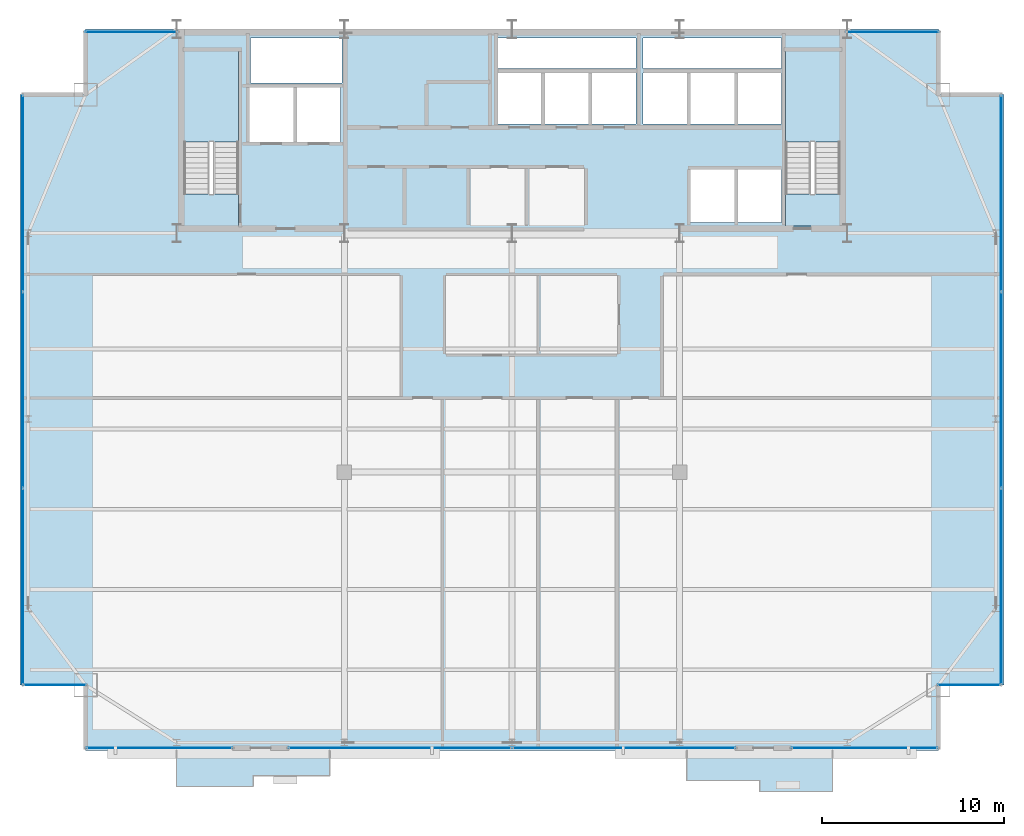
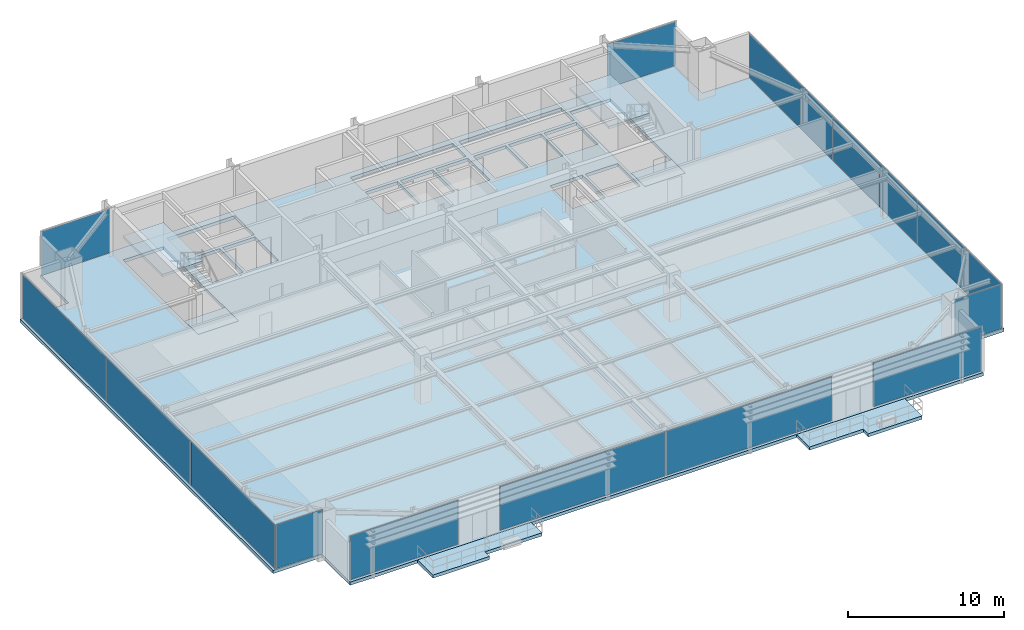
# One storey, part 24 of 31: 14 plates, 7 slabs, 11 elements without a shape of their own.
"""IFC4 building model written with IfcOpenShell, lengths in metres."""

from ifc_helpers import new_model, si_unit, direction, frame, origin, origin_2d, place, context, subcontext, project, spatial, polyline, rectangle, outline, extrude, source, transform, mapped, material, layer, layer_set, type_object, type_shapes, element, aggregate, save


model = new_model("IFC4")

# Units and contexts
model_context = context("Model", 3, precision=1e-05, world=origin(), true_north=direction((0.0, 1.0)))
body_context = subcontext(model_context, "Body", "Model", "MODEL_VIEW")
ifc_project = project(units=[si_unit("LENGTHUNIT", "METRE"), si_unit("AREAUNIT", "SQUARE_METRE"), si_unit("VOLUMEUNIT", "CUBIC_METRE"), si_unit("PLANEANGLEUNIT", "RADIAN"), si_unit("MASSUNIT", "GRAM", prefix="KILO")], contexts=[model_context])

# Site, building, storey
site_placement = place(None, origin())
site = spatial("IfcSite", under=ifc_project, at=site_placement, CompositionType="ELEMENT")
building_placement = place(site_placement, origin())
building = spatial("IfcBuilding", under=site, at=building_placement, Name="Varnel Quay Broadcast Tower", CompositionType="ELEMENT")
storey_placement = place(building_placement, frame((0.0, 0.0, 157.199951171875)))
storey = spatial("IfcBuildingStorey", under=building, at=storey_placement, Name="L38", CompositionType="ELEMENT", Elevation=157.199951171875)

# Slabs
ifc_material_1 = material(Name="Concrete CSA A23.3 C40/50", Category="concrete")
ifc_layer_1 = layer(ifc_material_1, 0.25, Name="Concrete CSA A23.3 C40/50")
ifc_layer_set_1 = layer_set([ifc_layer_1], Name="Concrete CSA A23.3 C40/50")
slab_type_1 = type_object("IfcSlabType", Name="Slab_ExtTerrace250", PredefinedType="FLOOR", material=ifc_layer_set_1)
slab_1_placement = place(storey_placement, frame((0.0, 0.0, -0.25)))
element("IfcSlab", 1, at=slab_1_placement, inside=storey, type_object=slab_type_1, Name="L38 Planted Lobe Terrace Slab 1", PredefinedType="FLOOR", context=body_context, shape_type="SweptSolid", body=[
    extrude(outline(polyline([(15.590087890625, 5.236083984375), (19.7900390625, 5.236083984375), (19.7900390625, 5.8359375), (23.989990234375, 5.8359375), (23.989990234375, 7.199951171875), (15.590087890625, 7.199951171875), (15.590087890625, 5.236083984375)])), origin(), (0.0, 0.0, 1.0), 0.25),
])
slab_2_placement = place(storey_placement, frame((0.0, 0.0, -0.25)))
element("IfcSlab", 2, at=slab_2_placement, inside=storey, type_object=slab_type_1, Name="L38 Planted Lobe Terrace Slab 2", PredefinedType="FLOOR", context=body_context, shape_type="SweptSolid", body=[
    extrude(outline(polyline([(43.60009765625, 5.56396484375), (47.594970703125, 5.56396484375), (47.594970703125, 4.964111328125), (51.590087890625, 4.964111328125), (51.590087890625, 7.199951171875), (43.60009765625, 7.199951171875), (43.60009765625, 5.56396484375)])), origin(), (0.0, 0.0, 1.0), 0.25),
])
ifc_material_2 = material(Name="Concrete CSA A23.3 C50/60", Category="concrete")
ifc_layer_2 = layer(ifc_material_2, 0.25, Name="Concrete CSA A23.3 C50/60")
ifc_layer_set_2 = layer_set([ifc_layer_2], Name="Concrete CSA A23.3 C50/60")
slab_type_2 = type_object("IfcSlabType", Name="Slab_Floor250", PredefinedType="FLOOR", material=ifc_layer_set_2)
slab_3_placement = place(storey_placement, frame((0.0, 0.0, -0.25)))
element("IfcSlab", 3, at=slab_3_placement, inside=storey, type_object=slab_type_2, Name="L38 Structural Slab", PredefinedType="FLOOR", context=body_context, shape_type="SweptSolid", body=[
    extrude(outline(polyline([(10.60009765625, 7.199951171875), (57.39990234375, 7.199951171875), (57.39990234375, 10.800048828125), (61.0, 10.800048828125), (61.0, 43.199951171875), (57.39990234375, 43.199951171875), (57.39990234375, 46.800048828125), (10.60009765625, 46.800048828125), (10.60009765625, 43.199951171875), (7.0, 43.199951171875), (7.0, 10.800048828125), (10.60009765625, 10.800048828125), (10.60009765625, 7.199951171875)]), holes=[polyline([(19.0, 36.0), (16.0, 36.0), (16.0, 45.60009765625), (19.0, 45.60009765625), (19.0, 36.0)]), polyline([(19.60009765625, 43.60009765625), (22.0, 43.60009765625), (22.0, 40.60009765625), (19.60009765625, 40.60009765625), (19.60009765625, 43.60009765625)]), polyline([(22.199951171875, 43.60009765625), (24.60009765625, 43.60009765625), (24.60009765625, 40.60009765625), (22.199951171875, 40.60009765625), (22.199951171875, 43.60009765625)]), polyline([(33.199951171875, 44.39990234375), (35.60009765625, 44.39990234375), (35.60009765625, 41.60009765625), (33.199951171875, 41.60009765625), (33.199951171875, 44.39990234375)]), polyline([(35.800048828125, 44.39990234375), (38.199951171875, 44.39990234375), (38.199951171875, 41.60009765625), (35.800048828125, 41.60009765625), (35.800048828125, 44.39990234375)]), polyline([(38.39990234375, 44.39990234375), (40.800048828125, 44.39990234375), (40.800048828125, 41.60009765625), (38.39990234375, 41.60009765625), (38.39990234375, 44.39990234375)]), polyline([(19.64990234375, 46.300048828125), (24.679931640625, 46.300048828125), (24.679931640625, 43.85009765625), (19.64990234375, 43.85009765625), (19.64990234375, 46.300048828125)]), polyline([(33.199951171875, 46.300048828125), (40.800048828125, 46.300048828125), (40.800048828125, 44.64990234375), (33.199951171875, 44.64990234375), (33.199951171875, 46.300048828125)]), polyline([(43.800048828125, 39.10009765625), (46.199951171875, 39.10009765625), (46.199951171875, 36.199951171875), (43.800048828125, 36.199951171875), (43.800048828125, 39.10009765625)]), polyline([(46.39990234375, 39.10009765625), (48.800048828125, 39.10009765625), (48.800048828125, 36.199951171875), (46.39990234375, 36.199951171875), (46.39990234375, 39.10009765625)]), polyline([(49.0, 36.0), (49.0, 45.60009765625), (52.0, 45.60009765625), (52.0, 36.0), (49.0, 36.0)]), polyline([(41.199951171875, 44.39990234375), (43.60009765625, 44.39990234375), (43.60009765625, 41.60009765625), (41.199951171875, 41.60009765625), (41.199951171875, 44.39990234375)]), polyline([(43.800048828125, 44.39990234375), (46.199951171875, 44.39990234375), (46.199951171875, 41.60009765625), (43.800048828125, 41.60009765625), (43.800048828125, 44.39990234375)]), polyline([(46.39990234375, 44.39990234375), (48.800048828125, 44.39990234375), (48.800048828125, 41.60009765625), (46.39990234375, 41.60009765625), (46.39990234375, 44.39990234375)]), polyline([(41.199951171875, 46.300048828125), (48.800048828125, 46.300048828125), (48.800048828125, 44.64990234375), (41.199951171875, 44.64990234375), (41.199951171875, 46.300048828125)])]), origin(), (0.0, 0.0, 1.0), 0.25),
])
ifc_layer_3 = layer(ifc_material_2, 0.25, Name="Concrete CSA A23.3 C50/60")
ifc_layer_set_3 = layer_set([ifc_layer_3], Name="Concrete CSA A23.3 C50/60")
slab_type_3 = type_object("IfcSlabType", Name="Slab_StairFloorLanding250", PredefinedType="FLOOR", material=ifc_layer_set_3)
slab_4_placement = place(storey_placement, frame((0.0, 0.0, -0.25)))
element("IfcSlab", 4, at=slab_4_placement, inside=storey, type_object=slab_type_3, Name="L38 ST-01 Structural Floor Landing Slab", PredefinedType="FLOOR", context=body_context, shape_type="SweptSolid", body=[
    extrude(outline(polyline([(19.0, 36.0), (19.0, 37.75), (16.0, 37.75), (16.0, 36.0), (19.0, 36.0)])), origin(), (0.0, 0.0, 1.0), 0.25),
])
slab_5_placement = place(storey_placement, frame((0.0, 0.0, -0.25)))
element("IfcSlab", 5, at=slab_5_placement, inside=storey, type_object=slab_type_3, Name="L38 ST-02 Structural Floor Landing Slab", PredefinedType="FLOOR", context=body_context, shape_type="SweptSolid", body=[
    extrude(outline(polyline([(52.0, 36.0), (52.0, 37.75), (49.0, 37.75), (49.0, 36.0), (52.0, 36.0)])), origin(), (0.0, 0.0, 1.0), 0.25),
])

# Stair, slab
ifc_material_3 = material(Name="Precast Structural Concrete C40/50", Category="concrete")
stair_type_1 = type_object("IfcStairType", Name="Stair_ST-01", PredefinedType="HALF_TURN_STAIR", material=ifc_material_3)
stair_1_placement = place(storey_placement, origin())
stair_1 = element("IfcStair", 6, at=stair_1_placement, inside=storey, type_object=stair_type_1, Name="L38 West Core Exit Stair 1", PredefinedType="HALF_TURN_STAIR")
ifc_layer_4 = layer(ifc_material_3, 0.199951171875, Name="Precast Structural Concrete C40/50")
ifc_layer_set_4 = layer_set([ifc_layer_4], Name="Precast Structural Concrete C40/50")
slab_type_4 = type_object("IfcSlabType", Name="Slab_StairLanding200", PredefinedType="LANDING", material=ifc_layer_set_4)
slab_6_placement = place(storey_placement, frame((0.0, 0.0, 1.699951171875)))
slab_6 = element("IfcSlab", 7, at=slab_6_placement, type_object=slab_type_4, Name="ST-01 landing 1", PredefinedType="LANDING", context=body_context, shape_type="SweptSolid", body=[
    extrude(outline(polyline([(19.0, 40.60009765625), (19.0, 45.60009765625), (16.0, 45.60009765625), (16.0, 40.60009765625), (19.0, 40.60009765625)])), origin(), (0.0, 0.0, 1.0), 0.2001953125),
])
aggregate(stair_1, [slab_6])

stair_type_2 = type_object("IfcStairType", Name="Stair_ST-02", PredefinedType="HALF_TURN_STAIR", material=ifc_material_3)
stair_2_placement = place(storey_placement, origin())
stair_2 = element("IfcStair", 8, at=stair_2_placement, inside=storey, type_object=stair_type_2, Name="L38 East Core Exit Stair 2", PredefinedType="HALF_TURN_STAIR")
slab_7_placement = place(storey_placement, frame((0.0, 0.0, 1.699951171875)))
slab_7 = element("IfcSlab", 9, at=slab_7_placement, type_object=slab_type_4, Name="ST-02 landing 1", PredefinedType="LANDING", context=body_context, shape_type="SweptSolid", body=[
    extrude(outline(polyline([(52.0, 40.60009765625), (52.0, 45.60009765625), (49.0, 45.60009765625), (49.0, 40.60009765625), (52.0, 40.60009765625)])), origin(), (0.0, 0.0, 1.0), 0.2001953125),
])
aggregate(stair_2, [slab_7])

# Curtain wall, plate
ifc_material_4 = material(Name="Anodised Bronze Aluminium 6063-T6", Category="aluminium")
ifc_layer_5 = layer(ifc_material_4, 0.18994140625, Name="Anodised Bronze Aluminium 6063-T6")
ifc_layer_set_5 = layer_set([ifc_layer_5], Name="Anodised Bronze Aluminium 6063-T6")
curtain_wall_type_1 = type_object("IfcCurtainWallType", Name="CW_NotchCorner", PredefinedType="NOTDEFINED", material=ifc_layer_set_5)
curtain_wall_1_placement = place(storey_placement, origin())
curtain_wall_1 = element("IfcCurtainWall", 10, at=curtain_wall_1_placement, inside=storey, type_object=curtain_wall_type_1, Name="L38 SW Notch Curtain Wall", PredefinedType="NOTDEFINED")
ifc_material_5 = material(Name="Triple-Glazed Bronze Low-E Architectural Glass", Category="glass")
ifc_layer_6 = layer(ifc_material_5, 0.028076171875, Name="Triple-Glazed Bronze Low-E Architectural Glass")
ifc_layer_set_6 = layer_set([ifc_layer_6], Name="Triple-Glazed Bronze Low-E Architectural Glass")
plate_type_1 = type_object("IfcPlateType", Name="Panel_CWS-04", PredefinedType="CURTAIN_PANEL", material=ifc_layer_set_6)
shared_shape_1 = source(origin(), body_context, "Body", "SweptSolid", [
    extrude(rectangle(XDim=3.409912109375, YDim=0.028076171875, at=origin_2d()), origin(), (0.0, 0.0, 1.0), 3.43994140625),
])
type_shapes(plate_type_1, [shared_shape_1])
plate_1_placement = place(storey_placement, frame((8.9150390625, 10.800048828125, 0.05517578125), z_axis=(0.0, 0.0, 1.0), x_axis=(1.0, 0.0, 0.0)))
plate_1 = element("IfcPlate", 11, at=plate_1_placement, type_object=plate_type_1, Name="CWS-04 panel 1.1", PredefinedType="CURTAIN_PANEL", context=body_context, shape_type="MappedRepresentation", body=[
    mapped(shared_shape_1, transform((0.0, 0.0, 0.0), x_axis=(1.0, 0.0, 0.0), y_axis=(0.0, 1.0, 0.0), z_axis=(0.0, 0.0, 1.0), scale=1.0)),
])
aggregate(curtain_wall_1, [plate_1])

curtain_wall_2_placement = place(storey_placement, origin())
curtain_wall_2 = element("IfcCurtainWall", 12, at=curtain_wall_2_placement, inside=storey, type_object=curtain_wall_type_1, Name="L38 SE Notch Curtain Wall", PredefinedType="NOTDEFINED")
plate_2_placement = place(storey_placement, frame((59.0849609375, 10.800048828125, 0.05517578125), z_axis=(0.0, 0.0, 1.0), x_axis=(1.0, 0.0, 0.0)))
plate_2 = element("IfcPlate", 13, at=plate_2_placement, type_object=plate_type_1, Name="CWS-04 panel 1.1", PredefinedType="CURTAIN_PANEL", context=body_context, shape_type="MappedRepresentation", body=[
    mapped(shared_shape_1, transform((0.0, 0.0, 0.0), x_axis=(1.0, 0.0, 0.0), y_axis=(0.0, 1.0, 0.0), z_axis=(0.0, 0.0, 1.0), scale=1.0)),
])
aggregate(curtain_wall_2, [plate_2])

# Curtain wall, plates
ifc_layer_7 = layer(ifc_material_4, 0.18994140625, Name="Anodised Bronze Aluminium 6063-T6")
ifc_layer_set_7 = layer_set([ifc_layer_7], Name="Anodised Bronze Aluminium 6063-T6")
curtain_wall_type_2 = type_object("IfcCurtainWallType", Name="CW_UpperTower", PredefinedType="NOTDEFINED", material=ifc_layer_set_7)
curtain_wall_3_placement = place(storey_placement, origin())
curtain_wall_3 = element("IfcCurtainWall", 14, at=curtain_wall_3_placement, inside=storey, type_object=curtain_wall_type_2, Name="L38 West Unitised Curtain Wall", PredefinedType="NOTDEFINED")
ifc_material_6 = material(Name="Insulated Bronze Spandrel Glass", Category="glass")
ifc_layer_8 = layer(ifc_material_6, 0.030029296875, Name="Insulated Bronze Spandrel Glass")
ifc_layer_set_8 = layer_set([ifc_layer_8], Name="Insulated Bronze Spandrel Glass")
plate_type_2 = type_object("IfcPlateType", Name="PanelSp_CWS-03", PredefinedType="CURTAIN_PANEL", material=ifc_layer_set_8)
shared_shape_2 = source(origin(), body_context, "Body", "SweptSolid", [
    extrude(rectangle(XDim=10.702392578125, YDim=0.030029296875, at=origin_2d()), origin(), (0.0, 0.0, 1.0), 3.429931640625),
])
plate_3_placement = place(storey_placement, frame((7.14990234375, 16.21630859375, 0.06005859375), z_axis=(0.0, 0.0, 1.0), x_axis=(0.0, 1.0, 0.0)))
plate_3 = element("IfcPlate", 15, at=plate_3_placement, type_object=plate_type_2, Name="CWS-03 panel 1.1", PredefinedType="CURTAIN_PANEL", context=body_context, shape_type="MappedRepresentation", body=[
    mapped(shared_shape_2, transform((0.0, 0.0, 0.0), x_axis=(1.0, 0.0, 0.0), y_axis=(0.0, 1.0, 0.0), z_axis=(0.0, 0.0, 1.0), scale=1.0)),
])
plate_4_placement = place(storey_placement, frame((7.14990234375, 37.78369140625, 0.06005859375), z_axis=(0.0, 0.0, 1.0), x_axis=(0.0, 1.0, 0.0)))
plate_4 = element("IfcPlate", 16, at=plate_4_placement, type_object=plate_type_2, Name="CWS-03 panel 3.1", PredefinedType="CURTAIN_PANEL", context=body_context, shape_type="MappedRepresentation", body=[
    mapped(shared_shape_2, transform((0.0, 0.0, 0.0), x_axis=(1.0, 0.0, 0.0), y_axis=(0.0, 1.0, 0.0), z_axis=(0.0, 0.0, 1.0), scale=1.0)),
])

curtain_wall_4_placement = place(storey_placement, origin())
curtain_wall_4 = element("IfcCurtainWall", 17, at=curtain_wall_4_placement, inside=storey, type_object=curtain_wall_type_2, Name="L38 East Unitised Curtain Wall", PredefinedType="NOTDEFINED")
plate_5_placement = place(storey_placement, frame((60.85009765625, 16.21630859375, 0.06005859375), z_axis=(0.0, 0.0, 1.0), x_axis=(0.0, 1.0, 0.0)))
plate_5 = element("IfcPlate", 18, at=plate_5_placement, type_object=plate_type_2, Name="CWS-03 panel 1.1", PredefinedType="CURTAIN_PANEL", context=body_context, shape_type="MappedRepresentation", body=[
    mapped(shared_shape_2, transform((0.0, 0.0, 0.0), x_axis=(1.0, 0.0, 0.0), y_axis=(0.0, 1.0, 0.0), z_axis=(0.0, 0.0, 1.0), scale=1.0)),
])
plate_6_placement = place(storey_placement, frame((60.85009765625, 37.78369140625, 0.06005859375), z_axis=(0.0, 0.0, 1.0), x_axis=(0.0, 1.0, 0.0)))
plate_6 = element("IfcPlate", 19, at=plate_6_placement, type_object=plate_type_2, Name="CWS-03 panel 3.1", PredefinedType="CURTAIN_PANEL", context=body_context, shape_type="MappedRepresentation", body=[
    mapped(shared_shape_2, transform((0.0, 0.0, 0.0), x_axis=(1.0, 0.0, 0.0), y_axis=(0.0, 1.0, 0.0), z_axis=(0.0, 0.0, 1.0), scale=1.0)),
])

# Plate
shared_shape_3 = source(origin(), body_context, "Body", "SweptSolid", [
    extrude(rectangle(XDim=10.735107421875, YDim=0.030029296875, at=origin_2d()), origin(), (0.0, 0.0, 1.0), 3.429931640625),
])
plate_7_placement = place(storey_placement, frame((7.14990234375, 27.0, 0.06005859375), z_axis=(0.0, 0.0, 1.0), x_axis=(0.0, 1.0, 0.0)))
plate_7 = element("IfcPlate", 20, at=plate_7_placement, type_object=plate_type_2, Name="CWS-03 panel 2.1", PredefinedType="CURTAIN_PANEL", context=body_context, shape_type="MappedRepresentation", body=[
    mapped(shared_shape_3, transform((0.0, 0.0, 0.0), x_axis=(1.0, 0.0, 0.0), y_axis=(0.0, 1.0, 0.0), z_axis=(0.0, 0.0, 1.0), scale=1.0)),
])

aggregate(curtain_wall_3, [plate_3, plate_7, plate_4])

plate_8_placement = place(storey_placement, frame((60.85009765625, 27.0, 0.06005859375), z_axis=(0.0, 0.0, 1.0), x_axis=(0.0, 1.0, 0.0)))
plate_8 = element("IfcPlate", 21, at=plate_8_placement, type_object=plate_type_2, Name="CWS-03 panel 2.1", PredefinedType="CURTAIN_PANEL", context=body_context, shape_type="MappedRepresentation", body=[
    mapped(shared_shape_3, transform((0.0, 0.0, 0.0), x_axis=(1.0, 0.0, 0.0), y_axis=(0.0, 1.0, 0.0), z_axis=(0.0, 0.0, 1.0), scale=1.0)),
])

aggregate(curtain_wall_4, [plate_5, plate_8, plate_6])

# Curtain wall, plate
curtain_wall_5_placement = place(storey_placement, origin())
curtain_wall_5 = element("IfcCurtainWall", 22, at=curtain_wall_5_placement, inside=storey, type_object=curtain_wall_type_2, Name="L38 NW Wing Curtain Wall", PredefinedType="NOTDEFINED")
ifc_layer_9 = layer(ifc_material_5, 0.030029296875, Name="Triple-Glazed Bronze Low-E Architectural Glass")
ifc_layer_set_9 = layer_set([ifc_layer_9], Name="Triple-Glazed Bronze Low-E Architectural Glass")
plate_type_3 = type_object("IfcPlateType", Name="Panel_CWS-03", PredefinedType="CURTAIN_PANEL", material=ifc_layer_set_9)
shared_shape_4 = source(origin(), body_context, "Body", "SweptSolid", [
    extrude(rectangle(XDim=5.050048828125, YDim=0.030029296875, at=origin_2d()), origin(), (0.0, 0.0, 1.0), 3.429931640625),
])
plate_9_placement = place(storey_placement, frame((13.110107421875, 46.64990234375, 0.06005859375), z_axis=(0.0, 0.0, 1.0), x_axis=(1.0, 0.0, 0.0)))
plate_9 = element("IfcPlate", 23, at=plate_9_placement, type_object=plate_type_3, Name="CWS-03 panel 1.1", PredefinedType="CURTAIN_PANEL", context=body_context, shape_type="MappedRepresentation", body=[
    mapped(shared_shape_4, transform((0.0, 0.0, 0.0), x_axis=(1.0, 0.0, 0.0), y_axis=(0.0, 1.0, 0.0), z_axis=(0.0, 0.0, 1.0), scale=1.0)),
])
aggregate(curtain_wall_5, [plate_9])

curtain_wall_6_placement = place(storey_placement, origin())
curtain_wall_6 = element("IfcCurtainWall", 24, at=curtain_wall_6_placement, inside=storey, type_object=curtain_wall_type_2, Name="L38 NE Wing Curtain Wall", PredefinedType="NOTDEFINED")
plate_10_placement = place(storey_placement, frame((54.889892578125, 46.64990234375, 0.06005859375), z_axis=(0.0, 0.0, 1.0), x_axis=(1.0, 0.0, 0.0)))
plate_10 = element("IfcPlate", 25, at=plate_10_placement, type_object=plate_type_3, Name="CWS-03 panel 1.1", PredefinedType="CURTAIN_PANEL", context=body_context, shape_type="MappedRepresentation", body=[
    mapped(shared_shape_4, transform((0.0, 0.0, 0.0), x_axis=(1.0, 0.0, 0.0), y_axis=(0.0, 1.0, 0.0), z_axis=(0.0, 0.0, 1.0), scale=1.0)),
])
aggregate(curtain_wall_6, [plate_10])

curtain_wall_7_placement = place(storey_placement, origin())
curtain_wall_7 = element("IfcCurtainWall", 26, at=curtain_wall_7_placement, inside=storey, type_object=curtain_wall_type_2, Name="L38 South Unitised Curtain Wall 1", PredefinedType="NOTDEFINED")
shared_shape_5 = source(origin(), body_context, "Body", "SweptSolid", [
    extrude(rectangle(XDim=7.989990234375, YDim=0.030029296875, at=origin_2d()), origin(), (0.0, 0.0, 1.0), 3.429931640625),
])
type_shapes(plate_type_3, [shared_shape_4, shared_shape_5])
plate_11_placement = place(storey_placement, frame((14.659912109375, 7.35009765625, 0.06005859375), z_axis=(0.0, 0.0, 1.0), x_axis=(1.0, 0.0, 0.0)))
plate_11 = element("IfcPlate", 27, at=plate_11_placement, type_object=plate_type_3, Name="CWS-03 panel 1.1", PredefinedType="CURTAIN_PANEL", context=body_context, shape_type="MappedRepresentation", body=[
    mapped(shared_shape_5, transform((0.0, 0.0, 0.0), x_axis=(1.0, 0.0, 0.0), y_axis=(0.0, 1.0, 0.0), z_axis=(0.0, 0.0, 1.0), scale=1.0)),
])
aggregate(curtain_wall_7, [plate_11])

curtain_wall_8_placement = place(storey_placement, origin())
curtain_wall_8 = element("IfcCurtainWall", 28, at=curtain_wall_8_placement, inside=storey, type_object=curtain_wall_type_2, Name="L38 South Unitised Curtain Wall 3", PredefinedType="NOTDEFINED")
plate_12_placement = place(storey_placement, frame((53.340087890625, 7.35009765625, 0.06005859375), z_axis=(0.0, 0.0, 1.0), x_axis=(1.0, 0.0, 0.0)))
plate_12 = element("IfcPlate", 29, at=plate_12_placement, type_object=plate_type_3, Name="CWS-03 panel 1.1", PredefinedType="CURTAIN_PANEL", context=body_context, shape_type="MappedRepresentation", body=[
    mapped(shared_shape_5, transform((0.0, 0.0, 0.0), x_axis=(1.0, 0.0, 0.0), y_axis=(0.0, 1.0, 0.0), z_axis=(0.0, 0.0, 1.0), scale=1.0)),
])
aggregate(curtain_wall_8, [plate_12])

# Curtain wall, plates
curtain_wall_9_placement = place(storey_placement, origin())
curtain_wall_9 = element("IfcCurtainWall", 30, at=curtain_wall_9_placement, inside=storey, type_object=curtain_wall_type_2, Name="L38 South Unitised Curtain Wall 2", PredefinedType="NOTDEFINED")
shared_shape_6 = source(origin(), body_context, "Body", "SweptSolid", [
    extrude(rectangle(XDim=12.222412109375, YDim=0.030029296875, at=origin_2d()), origin(), (0.0, 0.0, 1.0), 3.429931640625),
])
type_shapes(plate_type_2, [shared_shape_2, shared_shape_3, shared_shape_6])
plate_13_placement = place(storey_placement, frame((27.856201171875, 7.35009765625, 0.06005859375), z_axis=(0.0, 0.0, 1.0), x_axis=(1.0, 0.0, 0.0)))
plate_13 = element("IfcPlate", 31, at=plate_13_placement, type_object=plate_type_2, Name="CWS-03 panel 1.1", PredefinedType="CURTAIN_PANEL", context=body_context, shape_type="MappedRepresentation", body=[
    mapped(shared_shape_6, transform((0.0, 0.0, 0.0), x_axis=(1.0, 0.0, 0.0), y_axis=(0.0, 1.0, 0.0), z_axis=(0.0, 0.0, 1.0), scale=1.0)),
])
plate_14_placement = place(storey_placement, frame((40.143798828125, 7.35009765625, 0.06005859375), z_axis=(0.0, 0.0, 1.0), x_axis=(1.0, 0.0, 0.0)))
plate_14 = element("IfcPlate", 32, at=plate_14_placement, type_object=plate_type_2, Name="CWS-03 panel 2.1", PredefinedType="CURTAIN_PANEL", context=body_context, shape_type="MappedRepresentation", body=[
    mapped(shared_shape_6, transform((0.0, 0.0, 0.0), x_axis=(1.0, 0.0, 0.0), y_axis=(0.0, 1.0, 0.0), z_axis=(0.0, 0.0, 1.0), scale=1.0)),
])
aggregate(curtain_wall_9, [plate_13, plate_14])

save(model, "model.ifc")
